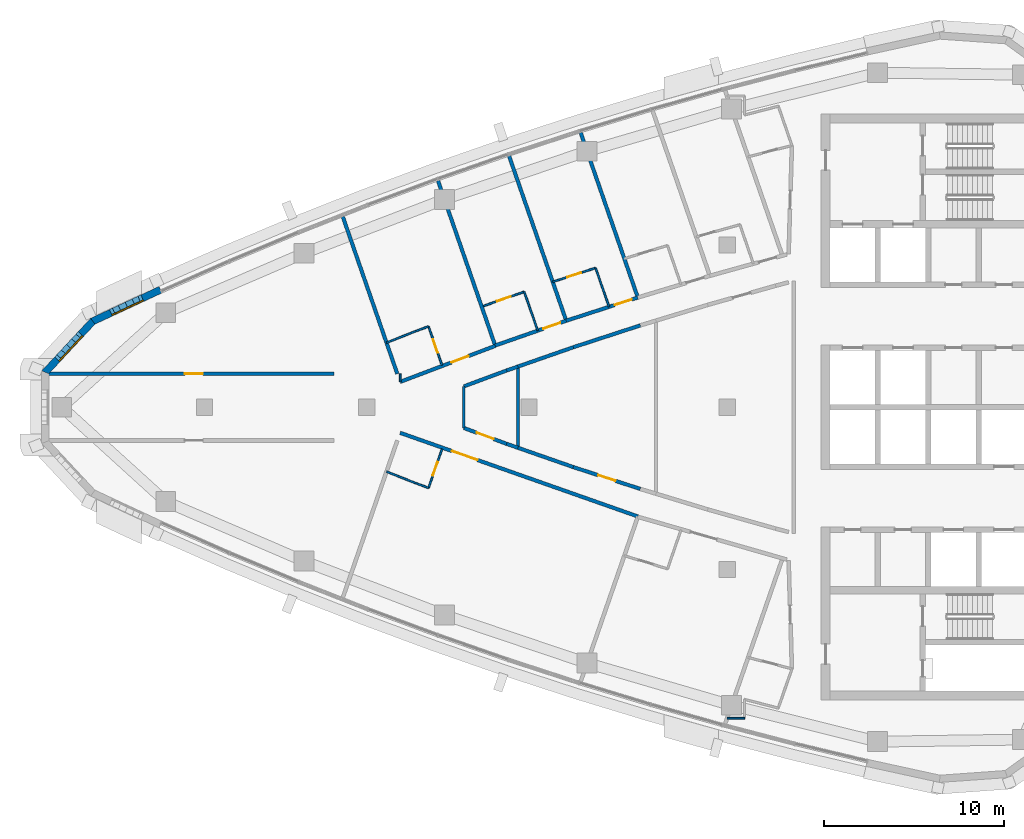
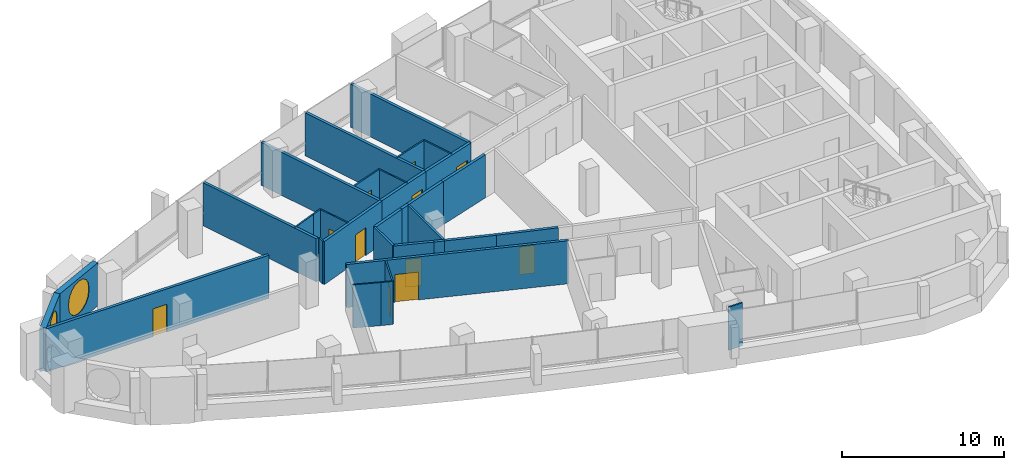
# One storey, part 7 of 14: 33 walls, 11 doors, 2 windows, 13 openings.
"""IFC4 building model written with IfcOpenShell, lengths in metres."""

from ifc_helpers import new_model, si_unit, direction, frame, frame_2d, origin, place, context, subcontext, project, spatial, polyline, rectangle, outline, extrude, material, layer, layer_set, type_object, element, fill, save


model = new_model("IFC4")

# Units and contexts
model_context = context("Model", 3, precision=1e-05, world=origin(), true_north=direction((0.0, 1.0)))
body_context = subcontext(model_context, "Body", "Model", "MODEL_VIEW")
ifc_project = project(units=[si_unit("LENGTHUNIT", "METRE"), si_unit("AREAUNIT", "SQUARE_METRE"), si_unit("VOLUMEUNIT", "CUBIC_METRE"), si_unit("PLANEANGLEUNIT", "RADIAN"), si_unit("MASSUNIT", "GRAM", prefix="KILO")], contexts=[model_context])

# Site, building, storey
site_placement = place(None, origin())
site = spatial("IfcSite", under=ifc_project, at=site_placement, CompositionType="ELEMENT")
building_placement = place(site_placement, origin())
building = spatial("IfcBuilding", under=site, at=building_placement, Name="Ostrand Prow Hotel Tower", CompositionType="ELEMENT")
storey_placement = place(building_placement, frame((0.0, 0.0, 285.64990234375)))
storey = spatial("IfcBuildingStorey", under=building, at=storey_placement, Name="L72", CompositionType="ELEMENT", Elevation=285.64990234375)

# Walls
ifc_material_1 = material(Name="Plasterboard partition")
ifc_layer_1 = layer(ifc_material_1, 0.10009765625)
ifc_layer_set_1 = layer_set([ifc_layer_1], Name="Plasterboard partition")
wall_type_1 = type_object("IfcWallType", Name="Partition 100 bathroom wall", PredefinedType="PARTITIONING", material=ifc_layer_set_1)
wall_1_placement = place(storey_placement, frame((26.095703125, 3.576171875, 0.0), z_axis=(0.0, 0.0, 1.0), x_axis=(0.930254925629, 0.366913850028, 0.0)))
element("IfcWall", 1, at=wall_1_placement, inside=storey, type_object=wall_type_1, Name="BATHROOM WALL", PredefinedType="PARTITIONING", context=body_context, shape_type="SweptSolid", body=[
    extrude(rectangle(XDim=1.760009765625, YDim=0.10009765625, at=frame_2d((0.8798828125, 0.0))), origin(), (0.0, 0.0, 1.0), 3.25),
])
wall_2_placement = place(storey_placement, frame((27.73291015625, 4.221923828125, 0.0), z_axis=(0.0, 0.0, 1.0), x_axis=(0.937514267289, 0.347946833049, 0.0)))
element("IfcWall", 2, at=wall_2_placement, inside=storey, type_object=wall_type_1, Name="BATHROOM WALL", PredefinedType="PARTITIONING", context=body_context, shape_type="SweptSolid", body=[
    extrude(rectangle(XDim=0.74169921875, YDim=0.10009765625, at=frame_2d((0.370849609375, 0.0))), origin(), (0.0, 0.0, 1.0), 3.25),
])

# Wall, opening, door
wall_3_placement = place(storey_placement, frame((28.42822265625, 4.47998046875, 0.0), z_axis=(0.0, 0.0, 1.0), x_axis=(0.327718024288, -0.944775579996, 0.0)))
wall_3 = element("IfcWall", 3, at=wall_3_placement, inside=storey, type_object=wall_type_1, Name="BATHROOM WALL", PredefinedType="PARTITIONING", context=body_context, shape_type="SweptSolid", body=[
    extrude(rectangle(XDim=2.27734375, YDim=0.10009765625, at=frame_2d((1.138671875, 0.0))), origin(), (0.0, 0.0, 1.0), 3.25),
])
opening_1_placement = place(wall_3_placement, frame((0.75, 0.0, 0.0)))
opening_1 = element("IfcOpeningElement", 4, at=opening_1_placement, cuts=wall_3, Name="Opening D2", PredefinedType="OPENING", context=body_context, shape_type="SweptSolid", body=[
    extrude(rectangle(XDim=0.800048828125, YDim=2.10009765625, at=frame_2d((0.39990234375, 1.050048828125))), frame((0.0, 0.06005859375, 0.0), z_axis=(0.0, -1.0, 0.0), x_axis=(1.0, 0.0, 0.0)), (0.0, 0.0, 1.0), 0.1201171875),
])
ifc_material_2 = material(Name="Timber door leaf", Category="wood")
door_type_1 = type_object("IfcDoorType", Name="Bathroom door 800", OperationType="SINGLE_SWING_LEFT", PredefinedType="DOOR", material=ifc_material_2)
door_1_placement = place(opening_1_placement, origin())
door_1 = element("IfcDoor", 5, at=door_1_placement, inside=storey, type_object=door_type_1, Name="DOOR", OperationType="SINGLE_SWING_LEFT", OverallHeight=2.10009765625, OverallWidth=0.800048828125, PredefinedType="DOOR", context=body_context, shape_type="SweptSolid", body=[
    extrude(rectangle(XDim=0.800048828125, YDim=2.10009765625, at=frame_2d((0.39990234375, 1.050048828125))), frame((0.0, 0.02490234375, 0.0), z_axis=(0.0, -1.0, 0.0), x_axis=(1.0, 0.0, 0.0)), (0.0, 0.0, 1.0), 0.050048828125),
])
fill(opening_1, door_1)

wall_4_placement = place(storey_placement, frame((31.472900390625, 5.610595703125, 0.0), z_axis=(0.0, 0.0, 1.0), x_axis=(0.944305532659, 0.329069994059, 0.0)))
wall_4 = element("IfcWall", 6, at=wall_4_placement, inside=storey, type_object=wall_type_1, Name="BATHROOM WALL", PredefinedType="PARTITIONING", context=body_context, shape_type="SweptSolid", body=[
    extrude(rectangle(XDim=2.395751953125, YDim=0.10009765625, at=frame_2d((1.19775390625, 0.0))), origin(), (0.0, 0.0, 1.0), 3.25),
])
opening_2_placement = place(wall_4_placement, frame((0.800048828125, 0.0, 0.0)))
opening_2 = element("IfcOpeningElement", 7, at=opening_2_placement, cuts=wall_4, Name="Opening D2", PredefinedType="OPENING", context=body_context, shape_type="SweptSolid", body=[
    extrude(rectangle(XDim=0.800048828125, YDim=2.10009765625, at=frame_2d((0.39990234375, 1.050048828125))), frame((0.0, 0.06005859375, 0.0), z_axis=(0.0, -1.0, 0.0), x_axis=(1.0, 0.0, 0.0)), (0.0, 0.0, 1.0), 0.1201171875),
])
door_2_placement = place(opening_2_placement, origin())
door_2 = element("IfcDoor", 8, at=door_2_placement, inside=storey, type_object=door_type_1, Name="DOOR", OperationType="SINGLE_SWING_LEFT", OverallHeight=2.10009765625, OverallWidth=0.800048828125, PredefinedType="DOOR", context=body_context, shape_type="SweptSolid", body=[
    extrude(rectangle(XDim=0.800048828125, YDim=2.10009765625, at=frame_2d((0.39990234375, 1.050048828125))), frame((0.0, 0.02490234375, 0.0), z_axis=(0.0, -1.0, 0.0), x_axis=(1.0, 0.0, 0.0)), (0.0, 0.0, 1.0), 0.050048828125),
])
fill(opening_2, door_2)

# Wall
wall_5_placement = place(storey_placement, frame((33.7353515625, 6.39892578125, 0.0), z_axis=(0.0, 0.0, 1.0), x_axis=(0.32768871219, -0.944785747089, 0.0)))
element("IfcWall", 9, at=wall_5_placement, inside=storey, type_object=wall_type_1, Name="BATHROOM WALL", PredefinedType="PARTITIONING", context=body_context, shape_type="SweptSolid", body=[
    extrude(rectangle(XDim=2.27685546875, YDim=0.10009765625, at=frame_2d((1.138427734375, 0.0))), origin(), (0.0, 0.0, 1.0), 3.25),
])

# Wall, opening, door
wall_6_placement = place(storey_placement, frame((35.31689453125, 6.948486328125, 0.0), z_axis=(0.0, 0.0, 1.0), x_axis=(0.950666002187, 0.310216299194, 0.0)))
wall_6 = element("IfcWall", 10, at=wall_6_placement, inside=storey, type_object=wall_type_1, Name="BATHROOM WALL", PredefinedType="PARTITIONING", context=body_context, shape_type="SweptSolid", body=[
    extrude(rectangle(XDim=2.500244140625, YDim=0.10009765625, at=frame_2d((1.25, 0.0))), origin(), (0.0, 0.0, 1.0), 3.25),
])
opening_3_placement = place(wall_6_placement, frame((0.85009765625, 0.0, 0.0)))
opening_3 = element("IfcOpeningElement", 11, at=opening_3_placement, cuts=wall_6, Name="Opening D2", PredefinedType="OPENING", context=body_context, shape_type="SweptSolid", body=[
    extrude(rectangle(XDim=0.800048828125, YDim=2.10009765625, at=frame_2d((0.39990234375, 1.050048828125))), frame((0.0, 0.06005859375, 0.0), z_axis=(0.0, -1.0, 0.0), x_axis=(1.0, 0.0, 0.0)), (0.0, 0.0, 1.0), 0.1201171875),
])
door_3_placement = place(opening_3_placement, origin())
door_3 = element("IfcDoor", 12, at=door_3_placement, inside=storey, type_object=door_type_1, Name="DOOR", OperationType="SINGLE_SWING_LEFT", OverallHeight=2.10009765625, OverallWidth=0.800048828125, PredefinedType="DOOR", context=body_context, shape_type="SweptSolid", body=[
    extrude(rectangle(XDim=0.800048828125, YDim=2.10009765625, at=frame_2d((0.39990234375, 1.050048828125))), frame((0.0, 0.02490234375, 0.0), z_axis=(0.0, -1.0, 0.0), x_axis=(1.0, 0.0, 0.0)), (0.0, 0.0, 1.0), 0.050048828125),
])
fill(opening_3, door_3)

# Wall
wall_7_placement = place(storey_placement, frame((37.694091796875, 7.72412109375, 0.0), z_axis=(0.0, 0.0, 1.0), x_axis=(0.327622330203, -0.944808768351, 0.0)))
element("IfcWall", 13, at=wall_7_placement, inside=storey, type_object=wall_type_1, Name="BATHROOM WALL", PredefinedType="PARTITIONING", context=body_context, shape_type="SweptSolid", body=[
    extrude(rectangle(XDim=2.27734375, YDim=0.10009765625, at=frame_2d((1.138671875, 0.0))), origin(), (0.0, 0.0, 1.0), 3.25),
])

# Wall, opening, door
wall_8_placement = place(storey_placement, frame((29.174560546875, -2.328369140625, 0.0), z_axis=(0.0, 0.0, 1.0), x_axis=(-0.327718024288, -0.944775579996, 0.0)))
wall_8 = element("IfcWall", 14, at=wall_8_placement, inside=storey, type_object=wall_type_1, Name="BATHROOM WALL", PredefinedType="PARTITIONING", context=body_context, shape_type="SweptSolid", body=[
    extrude(rectangle(XDim=2.27734375, YDim=0.10009765625, at=frame_2d((1.138671875, 0.0))), origin(), (0.0, 0.0, 1.0), 3.25),
])
opening_4_placement = place(wall_8_placement, frame((0.75, 0.0, 0.0)))
opening_4 = element("IfcOpeningElement", 15, at=opening_4_placement, cuts=wall_8, Name="Opening D2", PredefinedType="OPENING", context=body_context, shape_type="SweptSolid", body=[
    extrude(rectangle(XDim=0.800048828125, YDim=2.10009765625, at=frame_2d((0.39990234375, 1.050048828125))), frame((0.0, 0.06005859375, 0.0), z_axis=(0.0, -1.0, 0.0), x_axis=(1.0, 0.0, 0.0)), (0.0, 0.0, 1.0), 0.1201171875),
])
door_4_placement = place(opening_4_placement, origin())
door_4 = element("IfcDoor", 16, at=door_4_placement, inside=storey, type_object=door_type_1, Name="DOOR", OperationType="SINGLE_SWING_LEFT", OverallHeight=2.10009765625, OverallWidth=0.800048828125, PredefinedType="DOOR", context=body_context, shape_type="SweptSolid", body=[
    extrude(rectangle(XDim=0.800048828125, YDim=2.10009765625, at=frame_2d((0.39990234375, 1.050048828125))), frame((0.0, 0.02490234375, 0.0), z_axis=(0.0, -1.0, 0.0), x_axis=(1.0, 0.0, 0.0)), (0.0, 0.0, 1.0), 0.050048828125),
])
fill(opening_4, door_4)

# Walls
wall_9_placement = place(storey_placement, frame((28.42822265625, -4.47998046875, 0.0), z_axis=(0.0, 0.0, 1.0), x_axis=(-0.937514267289, 0.347946833049, 0.0)))
element("IfcWall", 17, at=wall_9_placement, inside=storey, type_object=wall_type_1, Name="BATHROOM WALL", PredefinedType="PARTITIONING", context=body_context, shape_type="SweptSolid", body=[
    extrude(rectangle(XDim=0.74169921875, YDim=0.10009765625, at=frame_2d((0.370849609375, 0.0))), origin(), (0.0, 0.0, 1.0), 3.25),
])
wall_10_placement = place(storey_placement, frame((27.73291015625, -4.221923828125, 0.0), z_axis=(0.0, 0.0, 1.0), x_axis=(-0.930254925629, 0.366913850028, 0.0)))
element("IfcWall", 18, at=wall_10_placement, inside=storey, type_object=wall_type_1, Name="BATHROOM WALL", PredefinedType="PARTITIONING", context=body_context, shape_type="SweptSolid", body=[
    extrude(rectangle(XDim=1.760009765625, YDim=0.10009765625, at=frame_2d((0.8798828125, 0.0))), origin(), (0.0, 0.0, 1.0), 3.25),
])
wall_11_placement = place(storey_placement, frame((45.95458984375, -17.258544921875, 0.0), z_axis=(0.0, 0.0, 1.0), x_axis=(-1.0, 0.0, 0.0)))
element("IfcWall", 19, at=wall_11_placement, inside=storey, type_object=wall_type_1, Name="BATHROOM WALL", PredefinedType="PARTITIONING", context=body_context, shape_type="SweptSolid", body=[
    extrude(rectangle(XDim=0.9697265625, YDim=0.10009765625, at=frame_2d((0.48486328125, 0.0))), origin(), (0.0, 0.0, 1.0), 3.25),
])
wall_12_placement = place(storey_placement, frame((26.8564453125, 1.4091796875, 0.0), z_axis=(0.0, 0.0, 1.0), x_axis=(-0.003863105832, 0.999992538179, 0.0)))
element("IfcWall", 20, at=wall_12_placement, inside=storey, type_object=wall_type_1, Name="BATHROOM WALL", PredefinedType="PARTITIONING", context=body_context, shape_type="SweptSolid", body=[
    extrude(rectangle(XDim=0.4423828125, YDim=0.10009765625, at=frame_2d((0.22119140625, 0.0))), origin(), (0.0, 0.0, 1.0), 3.25),
])
ifc_material_3 = material(Name="Plasterboard partition")
ifc_layer_2 = layer(ifc_material_3, 0.14990234375)
ifc_layer_set_2 = layer_set([ifc_layer_2], Name="Plasterboard partition")
wall_type_2 = type_object("IfcWallType", Name="Partition 150 room partition", PredefinedType="PARTITIONING", material=ifc_layer_set_2)
wall_13_placement = place(storey_placement, frame((30.385498046875, -1.1533203125, 0.0), z_axis=(0.0, 0.0, 1.0), x_axis=(0.0, 1.0, 0.0)))
element("IfcWall", 21, at=wall_13_placement, inside=storey, type_object=wall_type_2, Name="ROOM PARTITION", PredefinedType="PARTITIONING", context=body_context, shape_type="SweptSolid", body=[
    extrude(rectangle(XDim=2.306640625, YDim=0.14990234375, at=frame_2d((1.1533203125, 0.0))), origin(), (0.0, 0.0, 1.0), 3.25),
])
wall_14_placement = place(storey_placement, frame((33.385498046875, -2.2529296875, 0.0), z_axis=(0.0, 0.0, 1.0), x_axis=(0.0, 1.0, 0.0)))
element("IfcWall", 22, at=wall_14_placement, inside=storey, type_object=wall_type_2, Name="ROOM PARTITION", PredefinedType="PARTITIONING", context=body_context, shape_type="SweptSolid", body=[
    extrude(rectangle(XDim=4.505859375, YDim=0.14990234375, at=frame_2d((2.2529296875, 0.0))), origin(), (0.0, 0.0, 1.0), 3.25),
])

# Wall, opening, door
ifc_material_4 = material(Name="Plasterboard partition")
ifc_layer_3 = layer(ifc_material_4, 0.199951171875)
ifc_layer_set_3 = layer_set([ifc_layer_3], Name="Plasterboard partition")
wall_type_3 = type_object("IfcWallType", Name="Partition 200 corridor wall", PredefinedType="PARTITIONING", material=ifc_layer_set_3)
wall_15_placement = place(storey_placement, frame((7.287109375, 1.85009765625, 0.0), z_axis=(0.0, 0.0, 1.0), x_axis=(1.0, 0.0, 0.0)))
wall_15 = element("IfcWall", 23, at=wall_15_placement, inside=storey, type_object=wall_type_3, Name="CORRIDOR WALL", PredefinedType="PARTITIONING", context=body_context, shape_type="SweptSolid", body=[
    extrude(rectangle(XDim=15.898681640625, YDim=0.199951171875, at=frame_2d((7.94921875, 0.0))), origin(), (0.0, 0.0, 1.0), 3.25),
])
opening_5_placement = place(wall_15_placement, frame((7.6240234375, 0.0, 0.0)))
opening_5 = element("IfcOpeningElement", 24, at=opening_5_placement, cuts=wall_15, Name="Opening D1", PredefinedType="OPENING", context=body_context, shape_type="SweptSolid", body=[
    extrude(rectangle(XDim=1.0, YDim=2.10009765625, at=frame_2d((0.5, 1.050048828125))), frame((0.0, 0.10986328125, 0.0), z_axis=(0.0, -1.0, 0.0), x_axis=(1.0, 0.0, 0.0)), (0.0, 0.0, 1.0), 0.219970703125),
])
ifc_material_5 = material(Name="Timber door leaf", Category="wood")
door_type_2 = type_object("IfcDoorType", Name="Guest room door 1000", OperationType="SINGLE_SWING_LEFT", PredefinedType="DOOR", material=ifc_material_5)
door_5_placement = place(opening_5_placement, origin())
door_5 = element("IfcDoor", 25, at=door_5_placement, inside=storey, type_object=door_type_2, Name="DOOR", OperationType="SINGLE_SWING_LEFT", OverallHeight=2.10009765625, OverallWidth=1.0, PredefinedType="DOOR", context=body_context, shape_type="SweptSolid", body=[
    extrude(rectangle(XDim=1.0, YDim=2.10009765625, at=frame_2d((0.5, 1.050048828125))), frame((0.0, 0.02490234375, 0.0), z_axis=(0.0, -1.0, 0.0), x_axis=(1.0, 0.0, 0.0)), (0.0, 0.0, 1.0), 0.050048828125),
])
fill(opening_5, door_5)

wall_16_placement = place(storey_placement, frame((26.85009765625, 1.4013671875, 0.0), z_axis=(0.0, 0.0, 1.0), x_axis=(0.935181367748, 0.354169181912, 0.0)))
wall_16 = element("IfcWall", 26, at=wall_16_placement, inside=storey, type_object=wall_type_3, Name="CORRIDOR WALL", PredefinedType="PARTITIONING", context=body_context, shape_type="SweptSolid", body=[
    extrude(rectangle(XDim=5.64501953125, YDim=0.199951171875, at=frame_2d((2.822509765625, 0.0))), origin(), (0.0, 0.0, 1.0), 3.25),
])
opening_6_placement = place(wall_16_placement, frame((3.050048828125, 0.0, 0.0)))
opening_6 = element("IfcOpeningElement", 27, at=opening_6_placement, cuts=wall_16, Name="Opening D1R", PredefinedType="OPENING", context=body_context, shape_type="SweptSolid", body=[
    extrude(rectangle(XDim=1.0, YDim=2.10009765625, at=frame_2d((0.5, 1.050048828125))), frame((0.0, 0.10986328125, 0.0), z_axis=(0.0, -1.0, 0.0), x_axis=(1.0, 0.0, 0.0)), (0.0, 0.0, 1.0), 0.219970703125),
])
ifc_material_6 = material(Name="Timber door leaf", Category="wood")
door_type_3 = type_object("IfcDoorType", Name="Guest room door 1000 right", OperationType="SINGLE_SWING_RIGHT", PredefinedType="DOOR", material=ifc_material_6)
door_6_placement = place(opening_6_placement, origin())
door_6 = element("IfcDoor", 28, at=door_6_placement, inside=storey, type_object=door_type_3, Name="DOOR", OperationType="SINGLE_SWING_RIGHT", OverallHeight=2.10009765625, OverallWidth=1.0, PredefinedType="DOOR", context=body_context, shape_type="SweptSolid", body=[
    extrude(rectangle(XDim=1.0, YDim=2.10009765625, at=frame_2d((0.5, 1.050048828125))), frame((0.0, 0.02490234375, 0.0), z_axis=(0.0, -1.0, 0.0), x_axis=(1.0, 0.0, 0.0)), (0.0, 0.0, 1.0), 0.050048828125),
])
fill(opening_6, door_6)

wall_17_placement = place(storey_placement, frame((36.064208984375, 4.794189453125, 0.0), z_axis=(0.0, 0.0, 1.0), x_axis=(-0.944236129554, -0.329269086986, 0.0)))
wall_17 = element("IfcWall", 29, at=wall_17_placement, inside=storey, type_object=wall_type_3, Name="CORRIDOR WALL", PredefinedType="PARTITIONING", context=body_context, shape_type="SweptSolid", body=[
    extrude(rectangle(XDim=4.17431640625, YDim=0.199951171875, at=frame_2d((2.087158203125, 0.0))), origin(), (0.0, 0.0, 1.0), 3.25),
])
opening_7_placement = place(wall_17_placement, frame((0.35009765625, 0.0, 0.0)))
opening_7 = element("IfcOpeningElement", 30, at=opening_7_placement, cuts=wall_17, Name="Opening D1R", PredefinedType="OPENING", context=body_context, shape_type="SweptSolid", body=[
    extrude(rectangle(XDim=1.0, YDim=2.10009765625, at=frame_2d((0.5, 1.050048828125))), frame((0.0, 0.10986328125, 0.0), z_axis=(0.0, -1.0, 0.0), x_axis=(1.0, 0.0, 0.0)), (0.0, 0.0, 1.0), 0.219970703125),
])
door_7_placement = place(opening_7_placement, origin())
door_7 = element("IfcDoor", 31, at=door_7_placement, inside=storey, type_object=door_type_3, Name="DOOR", OperationType="SINGLE_SWING_RIGHT", OverallHeight=2.10009765625, OverallWidth=1.0, PredefinedType="DOOR", context=body_context, shape_type="SweptSolid", body=[
    extrude(rectangle(XDim=1.0, YDim=2.10009765625, at=frame_2d((0.5, 1.050048828125))), frame((0.0, 0.02490234375, 0.0), z_axis=(0.0, -1.0, 0.0), x_axis=(1.0, 0.0, 0.0)), (0.0, 0.0, 1.0), 0.050048828125),
])
fill(opening_7, door_7)

wall_18_placement = place(storey_placement, frame((40.035400390625, 6.08251953125, 0.0), z_axis=(0.0, 0.0, 1.0), x_axis=(-0.951196378796, -0.308586209941, 0.0)))
wall_18 = element("IfcWall", 32, at=wall_18_placement, inside=storey, type_object=wall_type_3, Name="CORRIDOR WALL", PredefinedType="PARTITIONING", context=body_context, shape_type="SweptSolid", body=[
    extrude(rectangle(XDim=4.175048828125, YDim=0.199951171875, at=frame_2d((2.08740234375, 0.0))), origin(), (0.0, 0.0, 1.0), 3.25),
])
opening_8_placement = place(wall_18_placement, frame((0.35009765625, 0.0, 0.0)))
opening_8 = element("IfcOpeningElement", 33, at=opening_8_placement, cuts=wall_18, Name="Opening D1R", PredefinedType="OPENING", context=body_context, shape_type="SweptSolid", body=[
    extrude(rectangle(XDim=1.0, YDim=2.10009765625, at=frame_2d((0.5, 1.050048828125))), frame((0.0, 0.10986328125, 0.0), z_axis=(0.0, -1.0, 0.0), x_axis=(1.0, 0.0, 0.0)), (0.0, 0.0, 1.0), 0.219970703125),
])
door_8_placement = place(opening_8_placement, origin())
door_8 = element("IfcDoor", 34, at=door_8_placement, inside=storey, type_object=door_type_3, Name="DOOR", OperationType="SINGLE_SWING_RIGHT", OverallHeight=2.10009765625, OverallWidth=1.0, PredefinedType="DOOR", context=body_context, shape_type="SweptSolid", body=[
    extrude(rectangle(XDim=1.0, YDim=2.10009765625, at=frame_2d((0.5, 1.050048828125))), frame((0.0, 0.02490234375, 0.0), z_axis=(0.0, -1.0, 0.0), x_axis=(1.0, 0.0, 0.0)), (0.0, 0.0, 1.0), 0.050048828125),
])
fill(opening_8, door_8)

wall_19_placement = place(storey_placement, frame((26.85009765625, -1.4228515625, 0.0), z_axis=(0.0, 0.0, 1.0), x_axis=(0.943328585164, -0.331860182022, 0.0)))
wall_19 = element("IfcWall", 35, at=wall_19_placement, inside=storey, type_object=wall_type_3, Name="CORRIDOR WALL", PredefinedType="PARTITIONING", context=body_context, shape_type="SweptSolid", body=[
    extrude(rectangle(XDim=13.984375, YDim=0.199951171875, at=frame_2d((6.9921875, 0.0))), origin(), (0.0, 0.0, 1.0), 3.25),
])
opening_9_placement = place(wall_19_placement, frame((3.050048828125, 0.0, 0.0)))
opening_9 = element("IfcOpeningElement", 36, at=opening_9_placement, cuts=wall_19, Name="Opening D15", PredefinedType="OPENING", context=body_context, shape_type="SweptSolid", body=[
    extrude(rectangle(XDim=1.5, YDim=2.10009765625, at=frame_2d((0.75, 1.050048828125))), frame((0.0, 0.10986328125, 0.0), z_axis=(0.0, -1.0, 0.0), x_axis=(1.0, 0.0, 0.0)), (0.0, 0.0, 1.0), 0.219970703125),
])
ifc_material_7 = material(Name="Timber door leaf", Category="wood")
door_type_4 = type_object("IfcDoorType", Name="Double door 1500", OperationType="DOUBLE_DOOR_SINGLE_SWING", PredefinedType="DOOR", material=ifc_material_7)
door_9_placement = place(opening_9_placement, origin())
door_9 = element("IfcDoor", 37, at=door_9_placement, inside=storey, type_object=door_type_4, Name="DOOR", OperationType="DOUBLE_DOOR_SINGLE_SWING", OverallHeight=2.10009765625, OverallWidth=1.5, PredefinedType="DOOR", context=body_context, shape_type="SweptSolid", body=[
    extrude(rectangle(XDim=1.5, YDim=2.10009765625, at=frame_2d((0.75, 1.050048828125))), frame((0.0, 0.02490234375, 0.0), z_axis=(0.0, -1.0, 0.0), x_axis=(1.0, 0.0, 0.0)), (0.0, 0.0, 1.0), 0.050048828125),
])
fill(opening_9, door_9)

wall_20_placement = place(storey_placement, frame((32.759765625, -2.034912109375, 0.0), z_axis=(0.0, 0.0, 1.0), x_axis=(-0.937461225735, 0.348089715797, 0.0)))
wall_20 = element("IfcWall", 38, at=wall_20_placement, inside=storey, type_object=wall_type_3, Name="CORRIDOR WALL", PredefinedType="PARTITIONING", context=body_context, shape_type="SweptSolid", body=[
    extrude(rectangle(XDim=2.53271484375, YDim=0.199951171875, at=frame_2d((1.266357421875, 0.0))), origin(), (0.0, 0.0, 1.0), 3.25),
])
opening_10_placement = place(wall_20_placement, frame((0.766357421875, 0.0, 0.0)))
opening_10 = element("IfcOpeningElement", 39, at=opening_10_placement, cuts=wall_20, Name="Opening D1", PredefinedType="OPENING", context=body_context, shape_type="SweptSolid", body=[
    extrude(rectangle(XDim=1.0, YDim=2.10009765625, at=frame_2d((0.5, 1.050048828125))), frame((0.0, 0.10986328125, 0.0), z_axis=(0.0, -1.0, 0.0), x_axis=(1.0, 0.0, 0.0)), (0.0, 0.0, 1.0), 0.219970703125),
])
door_10_placement = place(opening_10_placement, origin())
door_10 = element("IfcDoor", 40, at=door_10_placement, inside=storey, type_object=door_type_2, Name="DOOR", OperationType="SINGLE_SWING_LEFT", OverallHeight=2.10009765625, OverallWidth=1.0, PredefinedType="DOOR", context=body_context, shape_type="SweptSolid", body=[
    extrude(rectangle(XDim=1.0, YDim=2.10009765625, at=frame_2d((0.5, 1.050048828125))), frame((0.0, 0.02490234375, 0.0), z_axis=(0.0, -1.0, 0.0), x_axis=(1.0, 0.0, 0.0)), (0.0, 0.0, 1.0), 0.050048828125),
])
fill(opening_10, door_10)

# Walls
wall_21_placement = place(storey_placement, frame((30.385498046875, 1.1533203125, 0.0), z_axis=(0.0, 0.0, 1.0), x_axis=(0.937461225735, 0.348089715797, 0.0)))
element("IfcWall", 41, at=wall_21_placement, inside=storey, type_object=wall_type_3, Name="CORRIDOR WALL", PredefinedType="PARTITIONING", context=body_context, shape_type="SweptSolid", body=[
    extrude(rectangle(XDim=2.53271484375, YDim=0.199951171875, at=frame_2d((1.266357421875, 0.0))), origin(), (0.0, 0.0, 1.0), 3.25),
])
for number, where, z_axis, x_axis, name in (
    (42, (32.759765625, 2.034912109375, 0.0), (0.0, 0.0, 1.0), (0.944322693955, 0.329020743543, 0.0), "CORRIDOR WALL"),
    (43, (33.385498046875, -2.2529296875, 0.0), (0.0, 0.0, 1.0), (-0.944322693955, 0.329020743543, 0.0), "CORRIDOR WALL"),
):
    element("IfcWall", number, at=place(storey_placement, frame(where, z_axis=z_axis, x_axis=x_axis)), inside=storey, type_object=wall_type_3, Name=name, PredefinedType="PARTITIONING", context=body_context, shape_type="SweptSolid", body=[
        extrude(rectangle(XDim=0.66259765625, YDim=0.199951171875, at=frame_2d((0.331298828125, 0.0))), origin(), (0.0, 0.0, 1.0), 3.25),
    ])

# Wall, opening, door
wall_22_placement = place(storey_placement, frame((40.1748046875, -4.5361328125, 0.0), z_axis=(0.0, 0.0, 1.0), x_axis=(-0.950709849021, 0.310081897206, 0.0)))
wall_22 = element("IfcWall", 44, at=wall_22_placement, inside=storey, type_object=wall_type_3, Name="CORRIDOR WALL", PredefinedType="PARTITIONING", context=body_context, shape_type="SweptSolid", body=[
    extrude(rectangle(XDim=3.9130859375, YDim=0.199951171875, at=frame_2d((1.95654296875, 0.0))), origin(), (0.0, 0.0, 1.0), 3.25),
])
opening_11_placement = place(wall_22_placement, frame((1.45654296875, 0.0, 0.0)))
opening_11 = element("IfcOpeningElement", 45, at=opening_11_placement, cuts=wall_22, Name="Opening D1R", PredefinedType="OPENING", context=body_context, shape_type="SweptSolid", body=[
    extrude(rectangle(XDim=1.0, YDim=2.10009765625, at=frame_2d((0.5, 1.050048828125))), frame((0.0, 0.10986328125, 0.0), z_axis=(0.0, -1.0, 0.0), x_axis=(1.0, 0.0, 0.0)), (0.0, 0.0, 1.0), 0.219970703125),
])
door_11_placement = place(opening_11_placement, origin())
door_11 = element("IfcDoor", 46, at=door_11_placement, inside=storey, type_object=door_type_3, Name="DOOR", OperationType="SINGLE_SWING_RIGHT", OverallHeight=2.10009765625, OverallWidth=1.0, PredefinedType="DOOR", context=body_context, shape_type="SweptSolid", body=[
    extrude(rectangle(XDim=1.0, YDim=2.10009765625, at=frame_2d((0.5, 1.050048828125))), frame((0.0, 0.02490234375, 0.0), z_axis=(0.0, -1.0, 0.0), x_axis=(1.0, 0.0, 0.0)), (0.0, 0.0, 1.0), 0.050048828125),
])
fill(opening_11, door_11)

# Walls
for number, where, z_axis, x_axis, name in (
    (47, (36.45458984375, -3.32275390625, 0.0), (0.0, 0.0, 1.0), (-0.944275670423, 0.329155674791, 0.0), "CORRIDOR WALL"),
    (48, (33.385498046875, 2.2529296875, 0.0), (0.0, 0.0, 1.0), (0.944275670423, 0.329155674791, 0.0), "CORRIDOR WALL"),
):
    element("IfcWall", number, at=place(storey_placement, frame(where, z_axis=z_axis, x_axis=x_axis)), inside=storey, type_object=wall_type_3, Name=name, PredefinedType="PARTITIONING", context=body_context, shape_type="SweptSolid", body=[
        extrude(rectangle(XDim=3.250244140625, YDim=0.199951171875, at=frame_2d((1.625, 0.0))), origin(), (0.0, 0.0, 1.0), 3.25),
    ])
wall_23_placement = place(storey_placement, frame((36.45458984375, 3.32275390625, 0.0), z_axis=(0.0, 0.0, 1.0), x_axis=(0.950709849021, 0.310081897206, 0.0)))
element("IfcWall", 49, at=wall_23_placement, inside=storey, type_object=wall_type_3, Name="CORRIDOR WALL", PredefinedType="PARTITIONING", context=body_context, shape_type="SweptSolid", body=[
    extrude(rectangle(XDim=3.9130859375, YDim=0.199951171875, at=frame_2d((1.95654296875, 0.0))), origin(), (0.0, 0.0, 1.0), 3.25),
])
ifc_material_8 = material(Name="Plasterboard partition")
ifc_layer_4 = layer(ifc_material_8, 0.199951171875)
ifc_layer_set_4 = layer_set([ifc_layer_4], Name="Plasterboard partition")
wall_type_4 = type_object("IfcWallType", Name="Partition 200 key partition", PredefinedType="PARTITIONING", material=ifc_layer_set_4)
wall_24_placement = place(storey_placement, frame((26.6943359375, 1.85009765625, 0.0), z_axis=(0.0, 0.0, 1.0), x_axis=(-0.327714422317, 0.944776829418, 0.0)))
element("IfcWall", 50, at=wall_24_placement, inside=storey, type_object=wall_type_4, Name="KEY PARTITION", PredefinedType="PARTITIONING", context=body_context, shape_type="SweptSolid", body=[
    extrude(rectangle(XDim=9.2333984375, YDim=0.199951171875, at=frame_2d((4.61669921875, 0.0))), origin(), (0.0, 0.0, 1.0), 3.25),
])
wall_25_placement = place(storey_placement, frame((32.129150390625, 3.400634765625, 0.0), z_axis=(0.0, 0.0, 1.0), x_axis=(-0.327724115377, 0.944773467134, 0.0)))
element("IfcWall", 51, at=wall_25_placement, inside=storey, type_object=wall_type_4, Name="KEY PARTITION", PredefinedType="PARTITIONING", context=body_context, shape_type="SweptSolid", body=[
    extrude(rectangle(XDim=9.702392578125, YDim=0.199951171875, at=frame_2d((4.85107421875, 0.0))), origin(), (0.0, 0.0, 1.0), 3.25),
])
wall_26_placement = place(storey_placement, frame((36.07080078125, 4.775390625, 0.0), z_axis=(0.0, 0.0, 1.0), x_axis=(-0.327725028322, 0.94477315045, 0.0)))
element("IfcWall", 52, at=wall_26_placement, inside=storey, type_object=wall_type_4, Name="KEY PARTITION", PredefinedType="PARTITIONING", context=body_context, shape_type="SweptSolid", body=[
    extrude(rectangle(XDim=9.70166015625, YDim=0.199951171875, at=frame_2d((4.850830078125, 0.0))), origin(), (0.0, 0.0, 1.0), 3.25),
])
wall_27_placement = place(storey_placement, frame((40.0419921875, 6.063720703125, 0.0), z_axis=(0.0, 0.0, 1.0), x_axis=(-0.327710853631, 0.944778067279, 0.0)))
element("IfcWall", 53, at=wall_27_placement, inside=storey, type_object=wall_type_4, Name="KEY PARTITION", PredefinedType="PARTITIONING", context=body_context, shape_type="SweptSolid", body=[
    extrude(rectangle(XDim=9.707275390625, YDim=0.199951171875, at=frame_2d((4.853515625, 0.0))), origin(), (0.0, 0.0, 1.0), 3.25),
])

# Wall, opening, window
ifc_material_9 = material(Name="Precast concrete C40/50", Category="concrete")
ifc_layer_5 = layer(ifc_material_9, 0.39990234375)
ifc_layer_set_5 = layer_set([ifc_layer_5], Name="Precast concrete C40/50")
wall_type_5 = type_object("IfcWallType", Name="Stone-faced precast wall 400 mm", PredefinedType="NOTDEFINED", material=ifc_layer_set_5)
wall_28_placement = place(storey_placement, frame((13.55859375, 6.5146484375, 0.0), z_axis=(0.0, 0.0, 1.0), x_axis=(-0.906485602396, -0.42223672584, 0.0)))
wall_28 = element("IfcWall", 54, at=wall_28_placement, inside=storey, type_object=wall_type_5, Name="Stone-faced wall prow 1", PredefinedType="NOTDEFINED", context=body_context, shape_type="SweptSolid", body=[
    extrude(outline(polyline([(0.0, -0.199951171875), (4.1806640625, -0.199951171875), (4.1025390625, 0.199951171875), (0.0, 0.199951171875), (0.0, -0.199951171875)])), origin(), (0.0, 0.0, 1.0), 3.25),
])
opening_12_placement = place(wall_28_placement, frame((0.970947265625, 0.0, 0.60009765625)))
opening_12 = element("IfcOpeningElement", 55, at=opening_12_placement, cuts=wall_28, Name="Opening WP1", PredefinedType="OPENING", context=body_context, shape_type="SweptSolid", body=[
    extrude(outline(polyline([(0.0, 1.35009765625), (0.083740234375, 1.77099609375), (0.322265625, 2.127685546875), (0.678955078125, 2.3662109375), (1.10009765625, 2.449951171875), (1.52099609375, 2.3662109375), (1.877685546875, 2.127685546875), (2.1162109375, 1.77099609375), (2.199951171875, 1.35009765625), (2.199951171875, 1.10009765625), (2.1162109375, 0.678955078125), (1.877685546875, 0.322265625), (1.52099609375, 0.083740234375), (1.10009765625, 0.0), (0.678955078125, 0.083740234375), (0.322265625, 0.322265625), (0.083740234375, 0.678955078125), (0.0, 1.099853515625), (0.0, 1.35009765625)])), frame((0.0, 0.2099609375, 0.0), z_axis=(0.0, -1.0, 0.0), x_axis=(1.0, 0.0, 0.0)), (0.0, 0.0, 1.0), 0.419921875),
])
ifc_material_10 = material(Name="Insulated glass in bronze frame", Category="glass")
window_type = type_object("IfcWindowType", Name="Round-ended prow window 2200x2450", PartitioningType="SINGLE_PANEL", PredefinedType="WINDOW", material=ifc_material_10)
window_1_placement = place(opening_12_placement, origin())
window_1 = element("IfcWindow", 56, at=window_1_placement, inside=storey, type_object=window_type, Name="Window prow 1.1", OverallHeight=2.449951171875, OverallWidth=2.199951171875, PartitioningType="SINGLE_PANEL", PredefinedType="WINDOW", context=body_context, shape_type="SweptSolid", body=[
    extrude(outline(polyline([(0.0, 1.35009765625), (0.083740234375, 1.77099609375), (0.322265625, 2.127685546875), (0.678955078125, 2.3662109375), (1.10009765625, 2.449951171875), (1.52099609375, 2.3662109375), (1.877685546875, 2.127685546875), (2.1162109375, 1.77099609375), (2.199951171875, 1.35009765625), (2.199951171875, 1.10009765625), (2.1162109375, 0.678955078125), (1.877685546875, 0.322265625), (1.52099609375, 0.083740234375), (1.10009765625, 0.0), (0.678955078125, 0.083740234375), (0.322265625, 0.322265625), (0.083740234375, 0.678955078125), (0.0, 1.099853515625), (0.0, 1.35009765625)])), frame((0.0, 0.169921875, 0.0), z_axis=(0.0, -1.0, 0.0), x_axis=(1.0, 0.0, 0.0)), (0.0, 0.0, 1.0), 0.06005859375),
])
fill(opening_12, window_1)

wall_29_placement = place(storey_placement, frame((9.80419921875, 4.765869140625, 0.0), z_axis=(0.0, 0.0, 1.0), x_axis=(-0.6815467277, -0.73177459505, 0.0)))
wall_29 = element("IfcWall", 57, at=wall_29_placement, inside=storey, type_object=wall_type_5, Name="Stone-faced wall prow 2", PredefinedType="NOTDEFINED", context=body_context, shape_type="SweptSolid", body=[
    extrude(outline(polyline([(-0.0390625, -0.199951171875), (3.94775390625, -0.199951171875), (3.79052734375, 0.199951171875), (0.0390625, 0.199951171875), (-0.0390625, -0.199951171875)])), origin(), (0.0, 0.0, 1.0), 3.25),
])
opening_13_placement = place(wall_29_placement, frame((0.834716796875, 0.0, 0.60009765625)))
opening_13 = element("IfcOpeningElement", 58, at=opening_13_placement, cuts=wall_29, Name="Opening WP1", PredefinedType="OPENING", context=body_context, shape_type="SweptSolid", body=[
    extrude(outline(polyline([(0.0, 1.35009765625), (0.083740234375, 1.77099609375), (0.322265625, 2.127685546875), (0.678955078125, 2.3662109375), (1.10009765625, 2.449951171875), (1.52099609375, 2.3662109375), (1.877685546875, 2.127685546875), (2.1162109375, 1.77099609375), (2.199951171875, 1.35009765625), (2.199951171875, 1.10009765625), (2.1162109375, 0.678955078125), (1.877685546875, 0.322265625), (1.52099609375, 0.083740234375), (1.10009765625, 0.0), (0.678955078125, 0.083740234375), (0.322265625, 0.322265625), (0.083740234375, 0.678955078125), (0.0, 1.099853515625), (0.0, 1.35009765625)])), frame((0.0, 0.2099609375, 0.0), z_axis=(0.0, -1.0, 0.0), x_axis=(1.0, 0.0, 0.0)), (0.0, 0.0, 1.0), 0.419921875),
])
window_2_placement = place(opening_13_placement, origin())
window_2 = element("IfcWindow", 59, at=window_2_placement, inside=storey, type_object=window_type, Name="Window prow 2.1", OverallHeight=2.449951171875, OverallWidth=2.199951171875, PartitioningType="SINGLE_PANEL", PredefinedType="WINDOW", context=body_context, shape_type="SweptSolid", body=[
    extrude(outline(polyline([(0.0, 1.35009765625), (0.083740234375, 1.77099609375), (0.322265625, 2.127685546875), (0.678955078125, 2.3662109375), (1.10009765625, 2.449951171875), (1.52099609375, 2.3662109375), (1.877685546875, 2.127685546875), (2.1162109375, 1.77099609375), (2.199951171875, 1.35009765625), (2.199951171875, 1.10009765625), (2.1162109375, 0.678955078125), (1.877685546875, 0.322265625), (1.52099609375, 0.083740234375), (1.10009765625, 0.0), (0.678955078125, 0.083740234375), (0.322265625, 0.322265625), (0.083740234375, 0.678955078125), (0.0, 1.099853515625), (0.0, 1.35009765625)])), frame((0.0, 0.169921875, 0.0), z_axis=(0.0, -1.0, 0.0), x_axis=(1.0, 0.0, 0.0)), (0.0, 0.0, 1.0), 0.06005859375),
])
fill(opening_13, window_2)

save(model, "model.ifc")
